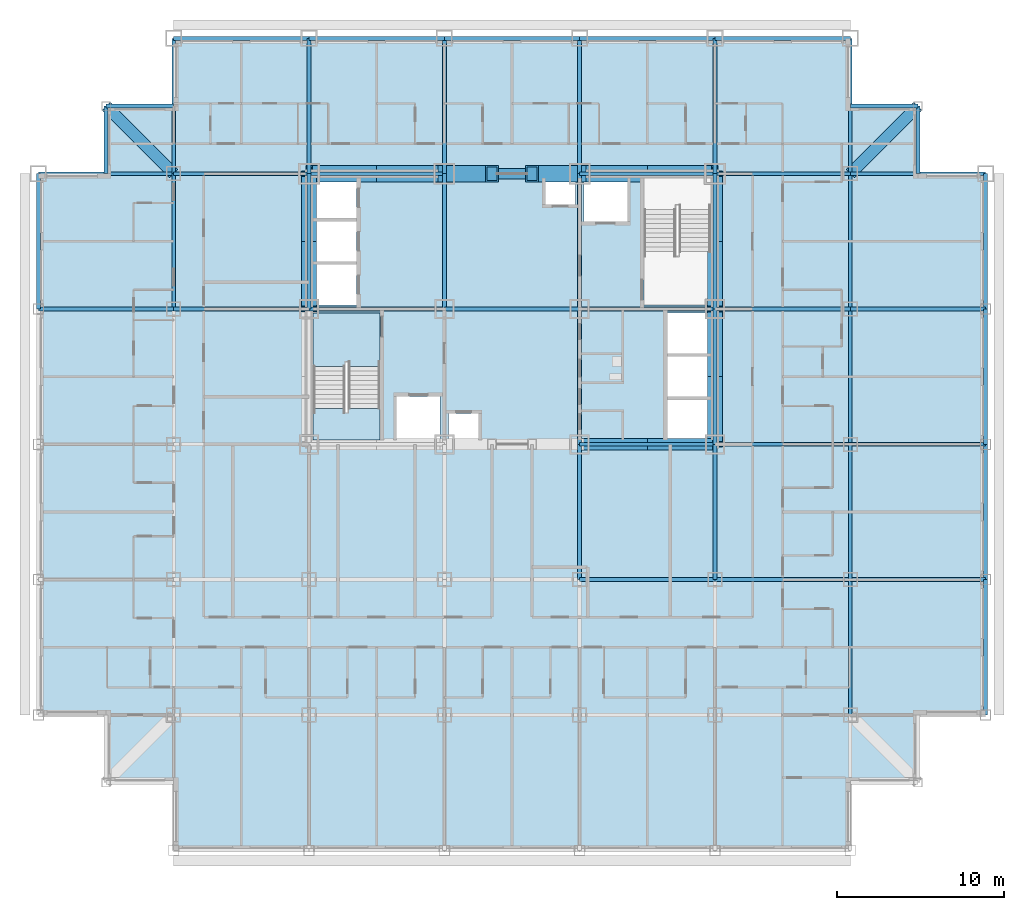
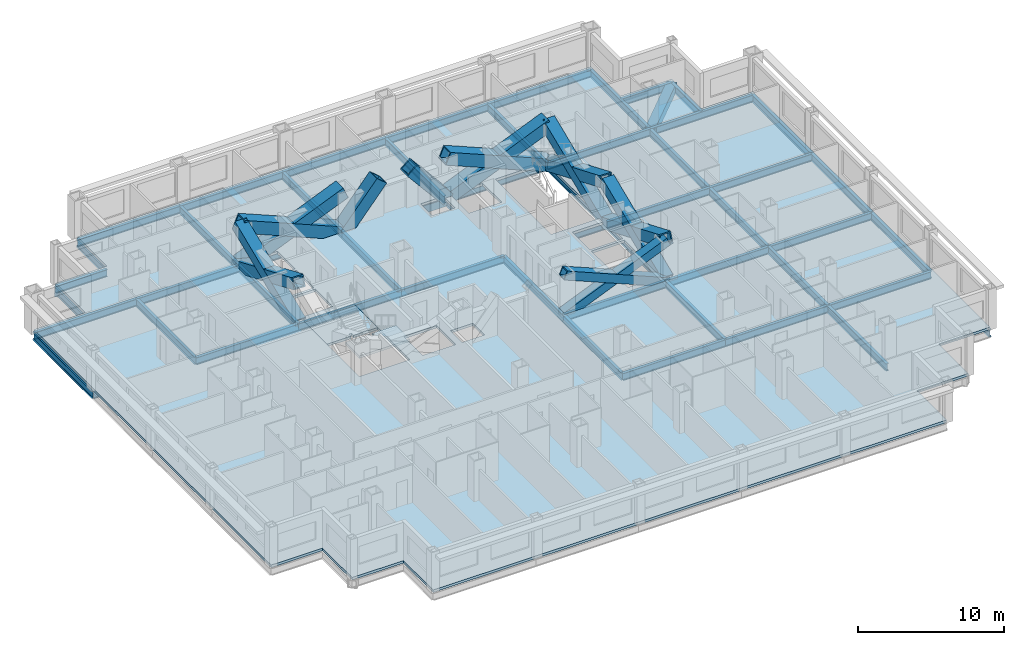
# One storey, part 2 of 13: 55 beams, 14 members, 3 slabs, 1 element without a shape of its own.
"""IFC4 building model written with IfcOpenShell, lengths in metres."""

import ifcopenshell
import ifcopenshell.guid

model = None  # the IFC model being written
_history = None  # IfcOwnerHistory: only IFC2X3 demands one
_inside = {}  # id of a spatial element -> (the spatial element, [elements in it])
_under = {}  # id of a project, library or spatial element -> (it, [spatial elements below it])
_declared = {}  # id of a project -> (the project, [libraries it declares])
_typed = {}  # id of a type object -> (the type object, [elements of that type])
_made_of = {}  # id of a material, layer set ... -> (it, [elements and type objects made of it])


def new_model(schema):
    """Start an empty IFC model of exactly this schema.

    Asked for "IFC4X3", IfcOpenShell would pick the latest addendum, in which some entities
    have other attributes; the version numbers below select the first issue.
    IFC2X3 requires an IfcOwnerHistory on every rooted entity: one is made here for all.
    """
    global model, _history
    if schema == "IFC4X3":
        model = ifcopenshell.file(schema_version=(4, 3, 0, 0))
    else:
        model = ifcopenshell.file(schema=schema)
    _inside.clear()
    _under.clear()
    _declared.clear()
    _typed.clear()
    _made_of.clear()
    _history = None
    if model.schema == "IFC2X3":
        org = make("IfcOrganization", Name="unknown")
        user = make(
            "IfcPersonAndOrganization",
            ThePerson=make("IfcPerson", FamilyName="unknown"),
            TheOrganization=org,
        )
        app = make(
            "IfcApplication",
            ApplicationDeveloper=org,
            Version="unknown",
            ApplicationFullName="unknown",
            ApplicationIdentifier="unknown",
        )
        _history = make(
            "IfcOwnerHistory",
            OwningUser=user,
            OwningApplication=app,
            ChangeAction="ADDED",
            CreationDate=0,
        )
    return model


def make(cls, **values):
    """One entity of the class cls with the attributes given. An attribute that is None is left unset."""
    return model.create_entity(
        cls, **{name: value for name, value in values.items() if value is not None}
    )


def rooted(cls, **values):
    """An entity with a GlobalId (a new one), such as an element, a storey or a relation."""
    return make(cls, GlobalId=ifcopenshell.guid.new(), OwnerHistory=_history, **values)


def si_unit(unit_type, name, prefix=None):
    """IfcSIUnit, for example si_unit("LENGTHUNIT", "METRE", prefix="MILLI")."""
    return make("IfcSIUnit", UnitType=unit_type, Prefix=prefix, Name=name)


def assignment(units):
    """IfcUnitAssignment: the units of a project."""
    return None if units is None else make("IfcUnitAssignment", Units=units)


def point(xyz):
    """IfcCartesianPoint."""
    return None if xyz is None else make("IfcCartesianPoint", Coordinates=xyz)


def direction(xyz):
    """IfcDirection."""
    return None if xyz is None else make("IfcDirection", DirectionRatios=xyz)


def frame(location, z_axis=None, x_axis=None):
    """IfcAxis2Placement3D, a coordinate frame: its origin and axes. An axis left out is left unset."""
    return make(
        "IfcAxis2Placement3D",
        Location=point(location),
        Axis=direction(z_axis),
        RefDirection=direction(x_axis),
    )


def frame_2d(location, x_axis=None):
    """IfcAxis2Placement2D, a coordinate frame in the plane: its origin and x axis."""
    return make(
        "IfcAxis2Placement2D", Location=point(location), RefDirection=direction(x_axis)
    )


def origin():
    """The frame at (0, 0, 0) with its axes left unset."""
    return frame((0.0, 0.0, 0.0))


def origin_2d():
    """The frame at (0, 0) in the plane with its x axis left unset."""
    return frame_2d((0.0, 0.0))


def place(relative_to, where):
    """IfcLocalPlacement: puts the frame where relative to a parent placement (None: the world)."""
    return make(
        "IfcLocalPlacement", PlacementRelTo=relative_to, RelativePlacement=where
    )


def context(
    kind, dimensions, precision=None, world=None, true_north=None, identifier=None
):
    """IfcGeometricRepresentationContext, for example the 3D "Model" context."""
    return make(
        "IfcGeometricRepresentationContext",
        ContextIdentifier=identifier,
        ContextType=kind,
        CoordinateSpaceDimension=dimensions,
        Precision=precision,
        WorldCoordinateSystem=world,
        TrueNorth=true_north,
    )


def subcontext(parent, identifier, kind, view, scale=None):
    """IfcGeometricRepresentationSubContext, for example "Body" below "Model"."""
    return make(
        "IfcGeometricRepresentationSubContext",
        ContextIdentifier=identifier,
        ContextType=kind,
        ParentContext=parent,
        TargetScale=scale,
        TargetView=view,
    )


def project(units=None, contexts=None):
    """IfcProject with its units and contexts."""
    return rooted(
        "IfcProject",
        Name="project",
        RepresentationContexts=contexts,
        UnitsInContext=assignment(units),
    )


def spatial(cls, under=None, at=None, **own):
    """A site, building, storey or space (cls), placed at a placement, below another one or the project."""
    s = rooted(cls, ObjectPlacement=at, **own)
    if under is not None:
        _under.setdefault(under.id(), (under, []))[1].append(s)
    return s


def polyline(points):
    """IfcPolyline through the points."""
    return make("IfcPolyline", Points=[point(p) for p in points])


def profile(cls, at=None, kind="AREA", **sizes):
    """A parametric profile (cls). Its sizes go by their IFC names, for example OverallWidth=200.0."""
    return make(cls, ProfileType=kind, Position=at, **sizes)


def hollow_rectangle(**sizes):
    """IfcRectangleHollowProfileDef."""
    return profile("IfcRectangleHollowProfileDef", **sizes)


def i_section(**sizes):
    """IfcIShapeProfileDef."""
    return profile("IfcIShapeProfileDef", **sizes)


def outline(outer, holes=None, kind="AREA"):
    """IfcArbitraryClosedProfileDef: a profile drawn as a closed curve; with holes, ...WithVoids."""
    if holes is None:
        return make("IfcArbitraryClosedProfileDef", ProfileType=kind, OuterCurve=outer)
    return make(
        "IfcArbitraryProfileDefWithVoids",
        ProfileType=kind,
        OuterCurve=outer,
        InnerCurves=holes,
    )


def extrude(swept, where, along, depth):
    """IfcExtrudedAreaSolid: the profile swept, set in the frame where, extruded along a direction by depth."""
    return make(
        "IfcExtrudedAreaSolid",
        SweptArea=swept,
        Position=where,
        ExtrudedDirection=direction(along),
        Depth=depth,
    )


def shape(context_of_items, identifier, shape_type, items):
    """IfcShapeRepresentation: the items that make up one representation, for example the "Body"."""
    return make(
        "IfcShapeRepresentation",
        ContextOfItems=context_of_items,
        RepresentationIdentifier=identifier,
        RepresentationType=shape_type,
        Items=items,
    )


def material(Name=None, Category=None):
    """IfcMaterial."""
    return make("IfcMaterial", Name=Name, Category=Category)


def layer(
    of_material, thickness, ventilated=None, Name=None, Category=None, Priority=None
):
    """IfcMaterialLayer: one layer of a wall or slab, of a material (None: an air gap)."""
    return make(
        "IfcMaterialLayer",
        Material=of_material,
        LayerThickness=thickness,
        IsVentilated=ventilated,
        Name=Name,
        Category=Category,
        Priority=Priority,
    )


def layer_set(layers, Name=None):
    """IfcMaterialLayerSet."""
    return make("IfcMaterialLayerSet", MaterialLayers=layers, LayerSetName=Name)


def material_profile(
    of_material, cross_section, Name=None, Category=None, Priority=None
):
    """IfcMaterialProfile: a cross section and its material."""
    return make(
        "IfcMaterialProfile",
        Name=Name,
        Material=of_material,
        Profile=cross_section,
        Priority=Priority,
        Category=Category,
    )


def profile_set(profiles, Name=None, composite=None):
    """IfcMaterialProfileSet."""
    return make(
        "IfcMaterialProfileSet",
        Name=Name,
        MaterialProfiles=profiles,
        CompositeProfile=composite,
    )


def made_of(thing, what):
    """Note that an element or type object is made of a material, layer set ...; save() writes the relation."""
    if what is not None:
        _made_of.setdefault(what.id(), (what, []))[1].append(thing)
    return thing


def type_object(cls, material=None, **own):
    """A type object (cls), such as IfcWallType, which elements share."""
    return made_of(rooted(cls, **own), material)


def element(
    cls,
    number,
    at=None,
    inside=None,
    cuts=None,
    type_object=None,
    material=None,
    context=None,
    identifier="Body",
    shape_type=None,
    held_by="IfcProductDefinitionShape",
    body=None,
    shapes=None,
    **own,
):
    """One element of the class cls, such as IfcWall. Its Tag is "e" and its number.

    at: its placement. inside: the storey or other place that contains it. cuts: it is an
    opening in that element (IfcRelVoidsElement). A single representation is given by context,
    identifier, shape_type and body (its items); several are given by shapes. held_by: the class
    of the entity that holds the representations. save() writes the other relations.
    """
    e = rooted(cls, Tag="e%d" % number, ObjectPlacement=at, **own)
    if body is not None:
        shapes = [shape(context, identifier, shape_type, body)]
    if shapes is not None:
        e.Representation = make(held_by, Representations=shapes)
    if inside is not None:
        _inside.setdefault(inside.id(), (inside, []))[1].append(e)
    if cuts is not None:
        rooted(
            "IfcRelVoidsElement", RelatingBuildingElement=cuts, RelatedOpeningElement=e
        )
    if type_object is not None:
        _typed.setdefault(type_object.id(), (type_object, []))[1].append(e)
    return made_of(e, material)


def aggregate(whole, parts):
    """IfcRelAggregates: a whole, such as a stair, and the parts it consists of."""
    return rooted("IfcRelAggregates", RelatingObject=whole, RelatedObjects=parts)


def save(model, path):
    """Write the relations noted so far, then the file.

    IfcRelAggregates (storeys below a building ...), IfcRelContainedInSpatialStructure (elements
    in a storey), IfcRelDefinesByType, IfcRelAssociatesMaterial and IfcRelDeclares: one each for
    every whole, place, type object, material and project.
    """
    for whole, parts in _under.values():
        aggregate(whole, parts)
    for where, things in _inside.values():
        rooted(
            "IfcRelContainedInSpatialStructure",
            RelatedElements=things,
            RelatingStructure=where,
        )
    for kind, things in _typed.values():
        rooted("IfcRelDefinesByType", RelatedObjects=things, RelatingType=kind)
    for what, things in _made_of.values():
        rooted("IfcRelAssociatesMaterial", RelatedObjects=things, RelatingMaterial=what)
    for by, libraries in _declared.values():
        rooted("IfcRelDeclares", RelatingContext=by, RelatedDefinitions=libraries)
    model.write(path)


model = new_model("IFC4")

# Units and contexts
model_context = context("Model", 3, precision=1e-05, world=origin(), true_north=direction((0.0, 1.0)))
body_context = subcontext(model_context, "Body", "Model", "MODEL_VIEW")
ifc_project = project(units=[si_unit("LENGTHUNIT", "METRE"), si_unit("AREAUNIT", "SQUARE_METRE"), si_unit("VOLUMEUNIT", "CUBIC_METRE"), si_unit("PLANEANGLEUNIT", "RADIAN"), si_unit("MASSUNIT", "GRAM", prefix="KILO")], contexts=[model_context])

# Site, building, storey
site_placement = place(None, origin())
site = spatial("IfcSite", under=ifc_project, at=site_placement, CompositionType="ELEMENT")
building_placement = place(site_placement, origin())
building = spatial("IfcBuilding", under=site, at=building_placement, Name="Kopane Lantern Tower", CompositionType="ELEMENT")
storey_placement = place(building_placement, frame((0.0, 0.0, 67.0)))
storey = spatial("IfcBuildingStorey", under=building, at=storey_placement, Name="L16", CompositionType="ELEMENT", Elevation=67.0)

# Members
ifc_material_1 = material(Name="Steel S355JR", Category="steel")
ifc_material_profile_1 = material_profile(ifc_material_1, hollow_rectangle(XDim=1.0, YDim=1.0, WallThickness=0.10009765625, at=origin_2d()), Name="BOX 1000x1000x100")
ifc_profile_set_1 = profile_set([ifc_material_profile_1], Name="Steel S355JR")
member_type_1 = type_object("IfcMemberType", Name="BRACE BOX 1000x1000x100", PredefinedType="BRACE", material=ifc_profile_set_1)
for number, where, z_axis, x_axis, name in (
    (1, (16.199951171875, 40.5, -0.2099609375), (0.922069000757, 0.0, 0.387025526088), (0.0, 1.0, 0.0), "Core brace L16"),
    (2, (24.300048828125, 40.5, -0.2099609375), (-0.922069000757, 0.0, 0.387025526088), (0.0, -1.0, 0.0), "Core brace L16"),
):
    element("IfcMember", number, at=place(storey_placement, frame(where, z_axis=z_axis, x_axis=x_axis)), inside=storey, type_object=member_type_1, Name=name, PredefinedType="BRACE", context=body_context, shape_type="SweptSolid", body=[
        extrude(hollow_rectangle(XDim=1.0, YDim=1.0, WallThickness=0.10009765625, at=origin_2d()), origin(), (0.0, 0.0, 1.0), 8.78466796875),
    ])
for number, where, z_axis, x_axis, name in (
    (3, (24.300048828125, 40.5, -0.2099609375), (0.642390257445, 0.0, 0.7663776857), (0.0, 1.0, 0.0), "Core brace L16"),
    (4, (32.39990234375, 40.5, -0.2099609375), (-0.642390257445, 0.0, 0.7663776857), (0.0, -1.0, 0.0), "Core brace L16"),
):
    element("IfcMember", number, at=place(storey_placement, frame(where, z_axis=z_axis, x_axis=x_axis)), inside=storey, type_object=member_type_1, Name=name, PredefinedType="BRACE", context=body_context, shape_type="SweptSolid", body=[
        extrude(hollow_rectangle(XDim=1.0, YDim=1.0, WallThickness=0.10009765625, at=origin_2d()), origin(), (0.0, 0.0, 1.0), 4.436279296875),
    ])
for number, where, z_axis, x_axis, name in (
    (5, (32.39990234375, 40.5, -0.2099609375), (0.922069000757, 0.0, 0.387025526088), (0.0, 1.0, 0.0), "Core brace L16"),
    (6, (40.5, 40.5, -0.2099609375), (-0.922069000757, 0.0, 0.387025526088), (0.0, -1.0, 0.0), "Core brace L16"),
):
    element("IfcMember", number, at=place(storey_placement, frame(where, z_axis=z_axis, x_axis=x_axis)), inside=storey, type_object=member_type_1, Name=name, PredefinedType="BRACE", context=body_context, shape_type="SweptSolid", body=[
        extrude(hollow_rectangle(XDim=1.0, YDim=1.0, WallThickness=0.10009765625, at=origin_2d()), origin(), (0.0, 0.0, 1.0), 8.78466796875),
    ])
ifc_material_2 = material(Name="Steel S355JR", Category="steel")
ifc_material_profile_2 = material_profile(ifc_material_2, hollow_rectangle(XDim=0.699951171875, YDim=0.699951171875, WallThickness=0.06005859375, at=origin_2d()), Name="BOX 700x700x60")
ifc_profile_set_2 = profile_set([ifc_material_profile_2], Name="Steel S355JR")
member_type_2 = type_object("IfcMemberType", Name="BRACE BOX 700x700x60", PredefinedType="BRACE", material=ifc_profile_set_2)
for number, where, z_axis, x_axis, name in (
    (7, (32.39990234375, 24.300048828125, -0.2099609375), (0.922069000757, 0.0, 0.387025526088), (0.0, 1.0, 0.0), "Core brace L16"),
    (8, (40.5, 24.300048828125, -0.2099609375), (-0.922069000757, 0.0, 0.387025526088), (0.0, -1.0, 0.0), "Core brace L16"),
):
    element("IfcMember", number, at=place(storey_placement, frame(where, z_axis=z_axis, x_axis=x_axis)), inside=storey, type_object=member_type_2, Name=name, PredefinedType="BRACE", context=body_context, shape_type="SweptSolid", body=[
        extrude(hollow_rectangle(XDim=0.699951171875, YDim=0.699951171875, WallThickness=0.06005859375, at=origin_2d()), origin(), (0.0, 0.0, 1.0), 8.78466796875),
    ])
ifc_material_3 = material(Name="Steel S355JR", Category="steel")
ifc_material_profile_3 = material_profile(ifc_material_3, hollow_rectangle(XDim=0.89990234375, YDim=0.89990234375, WallThickness=0.090087890625, at=origin_2d()), Name="BOX 900x900x90")
ifc_profile_set_3 = profile_set([ifc_material_profile_3], Name="Steel S355JR")
member_type_3 = type_object("IfcMemberType", Name="BRACE BOX 900x900x90", PredefinedType="BRACE", material=ifc_profile_set_3)
for number, where, z_axis, x_axis, name in (
    (9, (16.199951171875, 32.39990234375, -0.2099609375), (0.0, 0.922069000757, 0.387025526088), (-1.0, 0.0, 0.0), "Core brace L16"),
    (10, (16.199951171875, 40.5, -0.2099609375), (0.0, -0.922069000757, 0.387025526088), (1.0, 0.0, 0.0), "Core brace L16"),
):
    element("IfcMember", number, at=place(storey_placement, frame(where, z_axis=z_axis, x_axis=x_axis)), inside=storey, type_object=member_type_3, Name=name, PredefinedType="BRACE", context=body_context, shape_type="SweptSolid", body=[
        extrude(hollow_rectangle(XDim=0.89990234375, YDim=0.89990234375, WallThickness=0.090087890625, at=origin_2d()), origin(), (0.0, 0.0, 1.0), 8.78466796875),
    ])
for number, where, z_axis, x_axis, name in (
    (11, (40.5, 24.300048828125, -0.2099609375), (0.0, 0.922064837731, 0.38703544414), (-1.0, 0.0, 0.0), "Core brace L16"),
    (12, (40.5, 32.39990234375, -0.2099609375), (0.0, -0.922064837731, 0.38703544414), (1.0, 0.0, 0.0), "Core brace L16"),
):
    element("IfcMember", number, at=place(storey_placement, frame(where, z_axis=z_axis, x_axis=x_axis)), inside=storey, type_object=member_type_3, Name=name, PredefinedType="BRACE", context=body_context, shape_type="SweptSolid", body=[
        extrude(hollow_rectangle(XDim=0.89990234375, YDim=0.89990234375, WallThickness=0.090087890625, at=origin_2d()), origin(), (0.0, 0.0, 1.0), 8.784423828125),
    ])
for number, where, z_axis, x_axis, name in (
    (13, (40.5, 32.39990234375, -0.2099609375), (0.0, 0.922069000757, 0.387025526088), (-1.0, 0.0, 0.0), "Core brace L16"),
    (14, (40.5, 40.5, -0.2099609375), (0.0, -0.922069000757, 0.387025526088), (1.0, 0.0, 0.0), "Core brace L16"),
):
    element("IfcMember", number, at=place(storey_placement, frame(where, z_axis=z_axis, x_axis=x_axis)), inside=storey, type_object=member_type_3, Name=name, PredefinedType="BRACE", context=body_context, shape_type="SweptSolid", body=[
        extrude(hollow_rectangle(XDim=0.89990234375, YDim=0.89990234375, WallThickness=0.090087890625, at=origin_2d()), origin(), (0.0, 0.0, 1.0), 8.78466796875),
    ])

# Beams
ifc_material_4 = material(Name="Steel S355JR", Category="steel")
ifc_material_profile_4 = material_profile(ifc_material_4, i_section(OverallWidth=0.22900390625, OverallDepth=0.6123046875, WebThickness=0.011962890625, FlangeThickness=0.01953125, FilletRadius=0.0126953125, at=origin_2d()), Name="UB 610x229x125")
ifc_profile_set_4 = profile_set([ifc_material_profile_4], Name="Steel S355JR")
beam_type_1 = type_object("IfcBeamType", Name="CORE BEAM UB 610x229x125", PredefinedType="BEAM", material=ifc_profile_set_4)
for number, where, z_axis, x_axis, name in (
    (15, (16.199951171875, 32.39990234375, -0.51611328125), (1.0, 0.0, 0.0), (0.0, 1.0, 0.0), "Core Beam L16"),
    (16, (24.300048828125, 32.39990234375, -0.51611328125), (0.0, 1.0, 0.0), (-1.0, 0.0, 0.0), "Core Beam L16"),
):
    element("IfcBeam", number, at=place(storey_placement, frame(where, z_axis=z_axis, x_axis=x_axis)), inside=storey, type_object=beam_type_1, Name=name, PredefinedType="BEAM", context=body_context, shape_type="SweptSolid", body=[
        extrude(i_section(OverallWidth=0.22900390625, OverallDepth=0.6123046875, WebThickness=0.011962890625, FlangeThickness=0.01953125, FilletRadius=0.0126953125, at=origin_2d()), origin(), (0.0, 0.0, 1.0), 8.10009765625),
    ])
for number, where, z_axis, x_axis, name in (
    (17, (24.300048828125, 32.39990234375, -0.51611328125), (1.0, 0.0, 0.0), (0.0, 1.0, 0.0), "Core Beam L16"),
    (18, (32.39990234375, 24.300048828125, -0.51611328125), (0.0, 1.0, 0.0), (-1.0, 0.0, 0.0), "Core Beam L16"),
):
    element("IfcBeam", number, at=place(storey_placement, frame(where, z_axis=z_axis, x_axis=x_axis)), inside=storey, type_object=beam_type_1, Name=name, PredefinedType="BEAM", context=body_context, shape_type="SweptSolid", body=[
        extrude(i_section(OverallWidth=0.22900390625, OverallDepth=0.6123046875, WebThickness=0.011962890625, FlangeThickness=0.01953125, FilletRadius=0.0126953125, at=origin_2d()), origin(), (0.0, 0.0, 1.0), 8.099853515625),
    ])
for number, where, z_axis, x_axis, name in (
    (19, (32.39990234375, 32.39990234375, -0.51611328125), (0.0, 1.0, 0.0), (-1.0, 0.0, 0.0), "Core Beam L16"),
    (20, (32.39990234375, 32.39990234375, -0.51611328125), (1.0, 0.0, 0.0), (0.0, 1.0, 0.0), "Core Beam L16"),
):
    element("IfcBeam", number, at=place(storey_placement, frame(where, z_axis=z_axis, x_axis=x_axis)), inside=storey, type_object=beam_type_1, Name=name, PredefinedType="BEAM", context=body_context, shape_type="SweptSolid", body=[
        extrude(i_section(OverallWidth=0.22900390625, OverallDepth=0.6123046875, WebThickness=0.011962890625, FlangeThickness=0.01953125, FilletRadius=0.0126953125, at=origin_2d()), origin(), (0.0, 0.0, 1.0), 8.10009765625),
    ])
ifc_material_5 = material(Name="Steel S355JR", Category="steel")
ifc_material_profile_5 = material_profile(ifc_material_5, hollow_rectangle(XDim=0.699951171875, YDim=0.699951171875, WallThickness=0.06005859375, at=origin_2d()), Name="BOX 700x700x60")
ifc_profile_set_5 = profile_set([ifc_material_profile_5], Name="Steel S355JR")
beam_type_2 = type_object("IfcBeamType", Name="CORNER TIE BEAM BOX 700x700x60", PredefinedType="BEAM", material=ifc_profile_set_5)
for number, where, z_axis, x_axis, name in (
    (21, (4.050048828125, 44.550048828125, -0.56005859375), (0.707106781187, -0.707106781187, 0.0), (0.707106781187, 0.707106781187, 0.0), "Corner Tie Beam L16"),
    (22, (52.64990234375, 44.550048828125, -0.56005859375), (-0.707085467703, -0.707128094028, 0.0), (0.707128094028, -0.707085467703, 0.0), "Corner Tie Beam L16"),
):
    element("IfcBeam", number, at=place(storey_placement, frame(where, z_axis=z_axis, x_axis=x_axis)), inside=storey, type_object=beam_type_2, Name=name, PredefinedType="BEAM", context=body_context, shape_type="SweptSolid", body=[
        extrude(hollow_rectangle(XDim=0.699951171875, YDim=0.699951171875, WallThickness=0.06005859375, at=origin_2d()), origin(), (0.0, 0.0, 1.0), 5.7275390625),
    ])
ifc_material_6 = material(Name="Steel S355JR", Category="steel")
ifc_material_profile_6 = material_profile(ifc_material_6, i_section(OverallWidth=0.22900390625, OverallDepth=0.6123046875, WebThickness=0.011962890625, FlangeThickness=0.01953125, FilletRadius=0.0126953125, at=origin_2d()), Name="UB 610x229x125")
ifc_profile_set_6 = profile_set([ifc_material_profile_6], Name="Steel S355JR")
beam_type_3 = type_object("IfcBeamType", Name="EDGE BEAM UB 610x229x125", PredefinedType="BEAM", material=ifc_profile_set_6)
for number, where, z_axis, x_axis, name in (
    (23, (4.050048828125, 44.550048828125, -0.51611328125), (0.0, -1.0, 0.0), (1.0, 0.0, 0.0), "Edge Beam L16"),
    (24, (4.050048828125, 44.550048828125, -0.51611328125), (1.0, 0.0, 0.0), (0.0, 1.0, 0.0), "Edge Beam L16"),
):
    element("IfcBeam", number, at=place(storey_placement, frame(where, z_axis=z_axis, x_axis=x_axis)), inside=storey, type_object=beam_type_3, Name=name, PredefinedType="BEAM", context=body_context, shape_type="SweptSolid", body=[
        extrude(i_section(OverallWidth=0.22900390625, OverallDepth=0.6123046875, WebThickness=0.011962890625, FlangeThickness=0.01953125, FilletRadius=0.0126953125, at=origin_2d()), origin(), (0.0, 0.0, 1.0), 4.050048828125),
    ])
beam_1_placement = place(storey_placement, frame((52.64990234375, 44.550048828125, -0.51611328125), z_axis=(-1.0, 0.0, 0.0), x_axis=(0.0, -1.0, 0.0)))
element("IfcBeam", 25, at=beam_1_placement, inside=storey, type_object=beam_type_3, Name="Edge Beam L16", PredefinedType="BEAM", context=body_context, shape_type="SweptSolid", body=[
    extrude(i_section(OverallWidth=0.22900390625, OverallDepth=0.6123046875, WebThickness=0.011962890625, FlangeThickness=0.01953125, FilletRadius=0.0126953125, at=origin_2d()), origin(), (0.0, 0.0, 1.0), 4.0498046875),
])
beam_2_placement = place(storey_placement, frame((52.64990234375, 44.550048828125, -0.51611328125), z_axis=(0.0, -1.0, 0.0), x_axis=(1.0, 0.0, 0.0)))
element("IfcBeam", 26, at=beam_2_placement, inside=storey, type_object=beam_type_3, Name="Edge Beam L16", PredefinedType="BEAM", context=body_context, shape_type="SweptSolid", body=[
    extrude(i_section(OverallWidth=0.22900390625, OverallDepth=0.6123046875, WebThickness=0.011962890625, FlangeThickness=0.01953125, FilletRadius=0.0126953125, at=origin_2d()), origin(), (0.0, 0.0, 1.0), 4.050048828125),
])
ifc_material_7 = material(Name="Steel S355JR", Category="steel")
ifc_material_profile_7 = material_profile(ifc_material_7, i_section(OverallWidth=0.22900390625, OverallDepth=0.6123046875, WebThickness=0.011962890625, FlangeThickness=0.01953125, FilletRadius=0.0126953125, at=origin_2d()), Name="UB 610x229x125")
ifc_profile_set_7 = profile_set([ifc_material_profile_7], Name="Steel S355JR")
beam_type_4 = type_object("IfcBeamType", Name="GIRDER UB 610x229x125", PredefinedType="BEAM", material=ifc_profile_set_7)
for number, where, z_axis, x_axis, name in (
    (27, (0.0, 32.39990234375, -0.51611328125), (0.0, 1.0, 0.0), (-1.0, 0.0, 0.0), "Girder L16"),
    (28, (0.0, 32.39990234375, -0.51611328125), (1.0, 0.0, 0.0), (0.0, 1.0, 0.0), "Girder L16"),
    (29, (0.0, 40.5, -0.51611328125), (1.0, 0.0, 0.0), (0.0, 1.0, 0.0), "Girder L16"),
    (30, (8.10009765625, 32.39990234375, -0.51611328125), (0.0, 1.0, 0.0), (-1.0, 0.0, 0.0), "Girder L16"),
):
    element("IfcBeam", number, at=place(storey_placement, frame(where, z_axis=z_axis, x_axis=x_axis)), inside=storey, type_object=beam_type_4, Name=name, PredefinedType="BEAM", context=body_context, shape_type="SweptSolid", body=[
        extrude(i_section(OverallWidth=0.22900390625, OverallDepth=0.6123046875, WebThickness=0.011962890625, FlangeThickness=0.01953125, FilletRadius=0.0126953125, at=origin_2d()), origin(), (0.0, 0.0, 1.0), 8.10009765625),
    ])
beam_3_placement = place(storey_placement, frame((8.10009765625, 32.39990234375, -0.51611328125), z_axis=(1.0, 0.0, 0.0), x_axis=(0.0, 1.0, 0.0)))
element("IfcBeam", 31, at=beam_3_placement, inside=storey, type_object=beam_type_4, Name="Girder L16", PredefinedType="BEAM", context=body_context, shape_type="SweptSolid", body=[
    extrude(i_section(OverallWidth=0.22900390625, OverallDepth=0.6123046875, WebThickness=0.011962890625, FlangeThickness=0.01953125, FilletRadius=0.0126953125, at=origin_2d()), origin(), (0.0, 0.0, 1.0), 8.099853515625),
])
beam_4_placement = place(storey_placement, frame((8.10009765625, 40.5, -0.51611328125), z_axis=(0.0, 1.0, 0.0), x_axis=(-1.0, 0.0, 0.0)))
element("IfcBeam", 32, at=beam_4_placement, inside=storey, type_object=beam_type_4, Name="Girder L16", PredefinedType="BEAM", context=body_context, shape_type="SweptSolid", body=[
    extrude(i_section(OverallWidth=0.22900390625, OverallDepth=0.6123046875, WebThickness=0.011962890625, FlangeThickness=0.01953125, FilletRadius=0.0126953125, at=origin_2d()), origin(), (0.0, 0.0, 1.0), 8.10009765625),
])
for number, where, z_axis, x_axis, name in (
    (33, (8.10009765625, 40.5, -0.51611328125), (1.0, 0.0, 0.0), (0.0, 1.0, 0.0), "Girder L16"),
    (34, (8.10009765625, 48.60009765625, -0.51611328125), (1.0, 0.0, 0.0), (0.0, 1.0, 0.0), "Girder L16"),
):
    element("IfcBeam", number, at=place(storey_placement, frame(where, z_axis=z_axis, x_axis=x_axis)), inside=storey, type_object=beam_type_4, Name=name, PredefinedType="BEAM", context=body_context, shape_type="SweptSolid", body=[
        extrude(i_section(OverallWidth=0.22900390625, OverallDepth=0.6123046875, WebThickness=0.011962890625, FlangeThickness=0.01953125, FilletRadius=0.0126953125, at=origin_2d()), origin(), (0.0, 0.0, 1.0), 8.099853515625),
    ])
for number, where, z_axis, x_axis, name in (
    (35, (16.199951171875, 32.39990234375, -0.51611328125), (0.0, 1.0, 0.0), (-1.0, 0.0, 0.0), "Girder L16"),
    (36, (16.199951171875, 40.5, -0.51611328125), (0.0, 1.0, 0.0), (-1.0, 0.0, 0.0), "Girder L16"),
    (37, (16.199951171875, 40.5, -0.51611328125), (1.0, 0.0, 0.0), (0.0, 1.0, 0.0), "Girder L16"),
    (38, (16.199951171875, 48.60009765625, -0.51611328125), (1.0, 0.0, 0.0), (0.0, 1.0, 0.0), "Girder L16"),
    (39, (24.300048828125, 40.5, -0.51611328125), (0.0, 1.0, 0.0), (-1.0, 0.0, 0.0), "Girder L16"),
):
    element("IfcBeam", number, at=place(storey_placement, frame(where, z_axis=z_axis, x_axis=x_axis)), inside=storey, type_object=beam_type_4, Name=name, PredefinedType="BEAM", context=body_context, shape_type="SweptSolid", body=[
        extrude(i_section(OverallWidth=0.22900390625, OverallDepth=0.6123046875, WebThickness=0.011962890625, FlangeThickness=0.01953125, FilletRadius=0.0126953125, at=origin_2d()), origin(), (0.0, 0.0, 1.0), 8.10009765625),
    ])
beam_5_placement = place(storey_placement, frame((24.300048828125, 48.60009765625, -0.51611328125), z_axis=(1.0, 0.0, 0.0), x_axis=(0.0, 1.0, 0.0)))
element("IfcBeam", 40, at=beam_5_placement, inside=storey, type_object=beam_type_4, Name="Girder L16", PredefinedType="BEAM", context=body_context, shape_type="SweptSolid", body=[
    extrude(i_section(OverallWidth=0.22900390625, OverallDepth=0.6123046875, WebThickness=0.011962890625, FlangeThickness=0.01953125, FilletRadius=0.0126953125, at=origin_2d()), origin(), (0.0, 0.0, 1.0), 8.099853515625),
])
for number, where, z_axis, x_axis, name in (
    (41, (32.39990234375, 16.199951171875, -0.51611328125), (0.0, 1.0, 0.0), (-1.0, 0.0, 0.0), "Girder L16"),
    (42, (32.39990234375, 16.199951171875, -0.51611328125), (1.0, 0.0, 0.0), (0.0, 1.0, 0.0), "Girder L16"),
    (43, (32.39990234375, 24.300048828125, -0.51611328125), (1.0, 0.0, 0.0), (0.0, 1.0, 0.0), "Girder L16"),
    (44, (32.39990234375, 40.5, -0.51611328125), (0.0, 1.0, 0.0), (-1.0, 0.0, 0.0), "Girder L16"),
    (45, (32.39990234375, 40.5, -0.51611328125), (1.0, 0.0, 0.0), (0.0, 1.0, 0.0), "Girder L16"),
    (46, (32.39990234375, 48.60009765625, -0.51611328125), (1.0, 0.0, 0.0), (0.0, 1.0, 0.0), "Girder L16"),
    (47, (40.5, 16.199951171875, -0.51611328125), (0.0, 1.0, 0.0), (-1.0, 0.0, 0.0), "Girder L16"),
    (48, (40.5, 16.199951171875, -0.51611328125), (1.0, 0.0, 0.0), (0.0, 1.0, 0.0), "Girder L16"),
):
    element("IfcBeam", number, at=place(storey_placement, frame(where, z_axis=z_axis, x_axis=x_axis)), inside=storey, type_object=beam_type_4, Name=name, PredefinedType="BEAM", context=body_context, shape_type="SweptSolid", body=[
        extrude(i_section(OverallWidth=0.22900390625, OverallDepth=0.6123046875, WebThickness=0.011962890625, FlangeThickness=0.01953125, FilletRadius=0.0126953125, at=origin_2d()), origin(), (0.0, 0.0, 1.0), 8.10009765625),
    ])
beam_6_placement = place(storey_placement, frame((40.5, 24.300048828125, -0.51611328125), z_axis=(0.0, 1.0, 0.0), x_axis=(-1.0, 0.0, 0.0)))
element("IfcBeam", 49, at=beam_6_placement, inside=storey, type_object=beam_type_4, Name="Girder L16", PredefinedType="BEAM", context=body_context, shape_type="SweptSolid", body=[
    extrude(i_section(OverallWidth=0.22900390625, OverallDepth=0.6123046875, WebThickness=0.011962890625, FlangeThickness=0.01953125, FilletRadius=0.0126953125, at=origin_2d()), origin(), (0.0, 0.0, 1.0), 8.099853515625),
])
for number, where, z_axis, x_axis, name in (
    (50, (40.5, 24.300048828125, -0.51611328125), (1.0, 0.0, 0.0), (0.0, 1.0, 0.0), "Girder L16"),
    (51, (40.5, 32.39990234375, -0.51611328125), (0.0, 1.0, 0.0), (-1.0, 0.0, 0.0), "Girder L16"),
    (52, (40.5, 32.39990234375, -0.51611328125), (1.0, 0.0, 0.0), (0.0, 1.0, 0.0), "Girder L16"),
    (53, (40.5, 40.5, -0.51611328125), (0.0, 1.0, 0.0), (-1.0, 0.0, 0.0), "Girder L16"),
    (54, (40.5, 40.5, -0.51611328125), (1.0, 0.0, 0.0), (0.0, 1.0, 0.0), "Girder L16"),
    (55, (40.5, 48.60009765625, -0.51611328125), (1.0, 0.0, 0.0), (0.0, 1.0, 0.0), "Girder L16"),
):
    element("IfcBeam", number, at=place(storey_placement, frame(where, z_axis=z_axis, x_axis=x_axis)), inside=storey, type_object=beam_type_4, Name=name, PredefinedType="BEAM", context=body_context, shape_type="SweptSolid", body=[
        extrude(i_section(OverallWidth=0.22900390625, OverallDepth=0.6123046875, WebThickness=0.011962890625, FlangeThickness=0.01953125, FilletRadius=0.0126953125, at=origin_2d()), origin(), (0.0, 0.0, 1.0), 8.10009765625),
    ])
beam_7_placement = place(storey_placement, frame((48.60009765625, 8.10009765625, -0.51611328125), z_axis=(0.0, 1.0, 0.0), x_axis=(-1.0, 0.0, 0.0)))
element("IfcBeam", 56, at=beam_7_placement, inside=storey, type_object=beam_type_4, Name="Girder L16", PredefinedType="BEAM", context=body_context, shape_type="SweptSolid", body=[
    extrude(i_section(OverallWidth=0.22900390625, OverallDepth=0.6123046875, WebThickness=0.011962890625, FlangeThickness=0.01953125, FilletRadius=0.0126953125, at=origin_2d()), origin(), (0.0, 0.0, 1.0), 8.099853515625),
])
beam_8_placement = place(storey_placement, frame((48.60009765625, 16.199951171875, -0.51611328125), z_axis=(0.0, 1.0, 0.0), x_axis=(-1.0, 0.0, 0.0)))
element("IfcBeam", 57, at=beam_8_placement, inside=storey, type_object=beam_type_4, Name="Girder L16", PredefinedType="BEAM", context=body_context, shape_type="SweptSolid", body=[
    extrude(i_section(OverallWidth=0.22900390625, OverallDepth=0.6123046875, WebThickness=0.011962890625, FlangeThickness=0.01953125, FilletRadius=0.0126953125, at=origin_2d()), origin(), (0.0, 0.0, 1.0), 8.10009765625),
])
for number, where, z_axis, x_axis, name in (
    (58, (48.60009765625, 16.199951171875, -0.51611328125), (1.0, 0.0, 0.0), (0.0, 1.0, 0.0), "Girder L16"),
    (59, (48.60009765625, 24.300048828125, -0.51611328125), (0.0, 1.0, 0.0), (-1.0, 0.0, 0.0), "Girder L16"),
    (60, (48.60009765625, 24.300048828125, -0.51611328125), (1.0, 0.0, 0.0), (0.0, 1.0, 0.0), "Girder L16"),
):
    element("IfcBeam", number, at=place(storey_placement, frame(where, z_axis=z_axis, x_axis=x_axis)), inside=storey, type_object=beam_type_4, Name=name, PredefinedType="BEAM", context=body_context, shape_type="SweptSolid", body=[
        extrude(i_section(OverallWidth=0.22900390625, OverallDepth=0.6123046875, WebThickness=0.011962890625, FlangeThickness=0.01953125, FilletRadius=0.0126953125, at=origin_2d()), origin(), (0.0, 0.0, 1.0), 8.099853515625),
    ])
beam_9_placement = place(storey_placement, frame((48.60009765625, 32.39990234375, -0.51611328125), z_axis=(0.0, 1.0, 0.0), x_axis=(-1.0, 0.0, 0.0)))
element("IfcBeam", 61, at=beam_9_placement, inside=storey, type_object=beam_type_4, Name="Girder L16", PredefinedType="BEAM", context=body_context, shape_type="SweptSolid", body=[
    extrude(i_section(OverallWidth=0.22900390625, OverallDepth=0.6123046875, WebThickness=0.011962890625, FlangeThickness=0.01953125, FilletRadius=0.0126953125, at=origin_2d()), origin(), (0.0, 0.0, 1.0), 8.10009765625),
])
beam_10_placement = place(storey_placement, frame((48.60009765625, 32.39990234375, -0.51611328125), z_axis=(1.0, 0.0, 0.0), x_axis=(0.0, 1.0, 0.0)))
element("IfcBeam", 62, at=beam_10_placement, inside=storey, type_object=beam_type_4, Name="Girder L16", PredefinedType="BEAM", context=body_context, shape_type="SweptSolid", body=[
    extrude(i_section(OverallWidth=0.22900390625, OverallDepth=0.6123046875, WebThickness=0.011962890625, FlangeThickness=0.01953125, FilletRadius=0.0126953125, at=origin_2d()), origin(), (0.0, 0.0, 1.0), 8.099853515625),
])
beam_11_placement = place(storey_placement, frame((48.60009765625, 40.5, -0.51611328125), z_axis=(0.0, 1.0, 0.0), x_axis=(-1.0, 0.0, 0.0)))
element("IfcBeam", 63, at=beam_11_placement, inside=storey, type_object=beam_type_4, Name="Girder L16", PredefinedType="BEAM", context=body_context, shape_type="SweptSolid", body=[
    extrude(i_section(OverallWidth=0.22900390625, OverallDepth=0.6123046875, WebThickness=0.011962890625, FlangeThickness=0.01953125, FilletRadius=0.0126953125, at=origin_2d()), origin(), (0.0, 0.0, 1.0), 8.10009765625),
])
for number, where, z_axis, x_axis, name in (
    (64, (48.60009765625, 40.5, -0.51611328125), (1.0, 0.0, 0.0), (0.0, 1.0, 0.0), "Girder L16"),
    (65, (56.699951171875, 8.10009765625, -0.51611328125), (0.0, 1.0, 0.0), (-1.0, 0.0, 0.0), "Girder L16"),
):
    element("IfcBeam", number, at=place(storey_placement, frame(where, z_axis=z_axis, x_axis=x_axis)), inside=storey, type_object=beam_type_4, Name=name, PredefinedType="BEAM", context=body_context, shape_type="SweptSolid", body=[
        extrude(i_section(OverallWidth=0.22900390625, OverallDepth=0.6123046875, WebThickness=0.011962890625, FlangeThickness=0.01953125, FilletRadius=0.0126953125, at=origin_2d()), origin(), (0.0, 0.0, 1.0), 8.099853515625),
    ])
beam_12_placement = place(storey_placement, frame((56.699951171875, 16.199951171875, -0.51611328125), z_axis=(0.0, 1.0, 0.0), x_axis=(-1.0, 0.0, 0.0)))
element("IfcBeam", 66, at=beam_12_placement, inside=storey, type_object=beam_type_4, Name="Girder L16", PredefinedType="BEAM", context=body_context, shape_type="SweptSolid", body=[
    extrude(i_section(OverallWidth=0.22900390625, OverallDepth=0.6123046875, WebThickness=0.011962890625, FlangeThickness=0.01953125, FilletRadius=0.0126953125, at=origin_2d()), origin(), (0.0, 0.0, 1.0), 8.10009765625),
])
beam_13_placement = place(storey_placement, frame((56.699951171875, 24.300048828125, -0.51611328125), z_axis=(0.0, 1.0, 0.0), x_axis=(-1.0, 0.0, 0.0)))
element("IfcBeam", 67, at=beam_13_placement, inside=storey, type_object=beam_type_4, Name="Girder L16", PredefinedType="BEAM", context=body_context, shape_type="SweptSolid", body=[
    extrude(i_section(OverallWidth=0.22900390625, OverallDepth=0.6123046875, WebThickness=0.011962890625, FlangeThickness=0.01953125, FilletRadius=0.0126953125, at=origin_2d()), origin(), (0.0, 0.0, 1.0), 8.099853515625),
])
beam_14_placement = place(storey_placement, frame((56.699951171875, 32.39990234375, -0.51611328125), z_axis=(0.0, 1.0, 0.0), x_axis=(-1.0, 0.0, 0.0)))
element("IfcBeam", 68, at=beam_14_placement, inside=storey, type_object=beam_type_4, Name="Girder L16", PredefinedType="BEAM", context=body_context, shape_type="SweptSolid", body=[
    extrude(i_section(OverallWidth=0.22900390625, OverallDepth=0.6123046875, WebThickness=0.011962890625, FlangeThickness=0.01953125, FilletRadius=0.0126953125, at=origin_2d()), origin(), (0.0, 0.0, 1.0), 8.10009765625),
])
ifc_material_8 = material(Name="Steel S355JR", Category="steel")
ifc_material_profile_8 = material_profile(ifc_material_8, hollow_rectangle(XDim=0.64990234375, YDim=0.64990234375, WallThickness=0.070068359375, at=origin_2d()), Name="BOX 650x650x70")
ifc_profile_set_8 = profile_set([ifc_material_profile_8], Name="Steel S355JR")
beam_type_5 = type_object("IfcBeamType", Name="LINK BEAM BOX 650x650x70", PredefinedType="BEAM", material=ifc_profile_set_8)
beam_15_placement = place(storey_placement, frame((24.300048828125, 40.5, -0.534912109375), z_axis=(1.0, 0.0, 0.0), x_axis=(0.0, 1.0, 0.0)))
element("IfcBeam", 69, at=beam_15_placement, inside=storey, type_object=beam_type_5, Name="Link Beam L16", PredefinedType="BEAM", context=body_context, shape_type="SweptSolid", body=[
    extrude(hollow_rectangle(XDim=0.64990234375, YDim=0.64990234375, WallThickness=0.070068359375, at=origin_2d()), origin(), (0.0, 0.0, 1.0), 8.099853515625),
])

# Slab
ifc_material_9 = material(Name="Concrete C40/50", Category="concrete")
ifc_layer_1 = layer(ifc_material_9, 0.2099609375)
ifc_layer_set_1 = layer_set([ifc_layer_1], Name="SLAB 210 COMPOSITE")
slab_type_1 = type_object("IfcSlabType", Name="SLAB 210 COMPOSITE", PredefinedType="FLOOR", material=ifc_layer_set_1)
slab_1_placement = place(storey_placement, frame((0.0, 0.0, -0.2099609375)))
element("IfcSlab", 70, at=slab_1_placement, inside=storey, type_object=slab_type_1, Name="Floor slab L16", PredefinedType="FLOOR", context=body_context, shape_type="SweptSolid", body=[
    extrude(outline(polyline([(8.10009765625, 0.0), (48.60009765625, 0.0), (48.60009765625, 4.050048828125), (52.64990234375, 4.050048828125), (52.64990234375, 8.10009765625), (56.699951171875, 8.10009765625), (56.699951171875, 40.5), (52.64990234375, 40.5), (52.64990234375, 44.550048828125), (48.60009765625, 44.550048828125), (48.60009765625, 48.60009765625), (8.10009765625, 48.60009765625), (8.10009765625, 44.550048828125), (4.050048828125, 44.550048828125), (4.050048828125, 40.5), (0.0, 40.5), (0.0, 8.10009765625), (4.050048828125, 8.10009765625), (4.050048828125, 4.050048828125), (8.10009765625, 4.050048828125), (8.10009765625, 0.0)]), holes=[polyline([(16.449951171875, 24.550048828125), (20.449951171875, 24.550048828125), (20.449951171875, 32.14990234375), (16.449951171875, 32.14990234375), (16.449951171875, 24.550048828125)]), polyline([(36.25, 32.64990234375), (40.25, 32.64990234375), (40.25, 40.25), (36.25, 40.25), (36.25, 32.64990234375)]), polyline([(16.449951171875, 32.64990234375), (19.050048828125, 32.64990234375), (19.050048828125, 35.050048828125), (16.449951171875, 35.050048828125), (16.449951171875, 32.64990234375)]), polyline([(16.449951171875, 35.25), (19.050048828125, 35.25), (19.050048828125, 37.64990234375), (16.449951171875, 37.64990234375), (16.449951171875, 35.25)]), polyline([(16.449951171875, 37.85009765625), (19.050048828125, 37.85009765625), (19.050048828125, 40.25), (16.449951171875, 40.25), (16.449951171875, 37.85009765625)]), polyline([(37.64990234375, 24.550048828125), (40.25, 24.550048828125), (40.25, 26.949951171875), (37.64990234375, 26.949951171875), (37.64990234375, 24.550048828125)]), polyline([(37.64990234375, 27.14990234375), (40.25, 27.14990234375), (40.25, 29.550048828125), (37.64990234375, 29.550048828125), (37.64990234375, 27.14990234375)]), polyline([(37.64990234375, 29.75), (40.25, 29.75), (40.25, 32.14990234375), (37.64990234375, 32.14990234375), (37.64990234375, 29.75)]), polyline([(21.449951171875, 24.550048828125), (24.050048828125, 24.550048828125), (24.050048828125, 27.14990234375), (21.449951171875, 27.14990234375), (21.449951171875, 24.550048828125)]), polyline([(32.64990234375, 37.64990234375), (35.25, 37.64990234375), (35.25, 40.25), (32.64990234375, 40.25), (32.64990234375, 37.64990234375)]), polyline([(24.550048828125, 24.550048828125), (26.35009765625, 24.550048828125), (26.35009765625, 26.14990234375), (24.550048828125, 26.14990234375), (24.550048828125, 24.550048828125)]), polyline([(30.35009765625, 38.64990234375), (32.14990234375, 38.64990234375), (32.14990234375, 40.25), (30.35009765625, 40.25), (30.35009765625, 38.64990234375)])]), origin(), (0.0, 0.0, 1.0), 0.2099609375),
])

# Stair, slabs
ifc_material_10 = material(Name="Steel S355JR", Category="steel")
stair_type = type_object("IfcStairType", Name="EXIT STAIR 1900 HALF TURN", PredefinedType="HALF_TURN_STAIR", material=ifc_material_10)
stair_placement = place(storey_placement, origin())
stair = element("IfcStair", 71, at=stair_placement, inside=storey, type_object=stair_type, Name="Exit stair ST1 L16", PredefinedType="HALF_TURN_STAIR")
ifc_material_11 = material(Name="Concrete C40/50", Category="concrete")
ifc_layer_2 = layer(ifc_material_11, 0.199951171875)
ifc_layer_set_2 = layer_set([ifc_layer_2], Name="STAIR LANDING 200")
slab_type_2 = type_object("IfcSlabType", Name="STAIR LANDING 200", PredefinedType="LANDING", material=ifc_layer_set_2)
slab_2_placement = place(storey_placement, frame((0.0, 0.0, -0.199951171875)))
slab_2 = element("IfcSlab", 72, at=slab_2_placement, type_object=slab_type_2, Name="ST1 landing 1", PredefinedType="LANDING", context=body_context, shape_type="SweptSolid", body=[
    extrude(outline(polyline([(18.35009765625, 29.25), (18.550048828125, 29.25), (18.550048828125, 28.969970703125), (20.449951171875, 28.969970703125), (20.449951171875, 32.14990234375), (16.449951171875, 32.14990234375), (16.449951171875, 28.969970703125), (18.35009765625, 28.969970703125), (18.35009765625, 29.25)])), origin(), (0.0, 0.0, 1.0), 0.199951171875),
])
slab_3_placement = place(storey_placement, frame((0.0, 0.0, 1.5)))
slab_3 = element("IfcSlab", 73, at=slab_3_placement, type_object=slab_type_2, Name="ST1 landing 2", PredefinedType="LANDING", context=body_context, shape_type="SweptSolid", body=[
    extrude(outline(polyline([(20.449951171875, 26.449951171875), (18.550048828125, 26.449951171875), (18.550048828125, 26.169921875), (18.35009765625, 26.169921875), (18.35009765625, 26.449951171875), (16.449951171875, 26.449951171875), (16.449951171875, 24.550048828125), (20.449951171875, 24.550048828125), (20.449951171875, 26.449951171875)])), origin(), (0.0, 0.0, 1.0), 0.199951171875),
])
aggregate(stair, [slab_2, slab_3])

save(model, "model.ifc")
